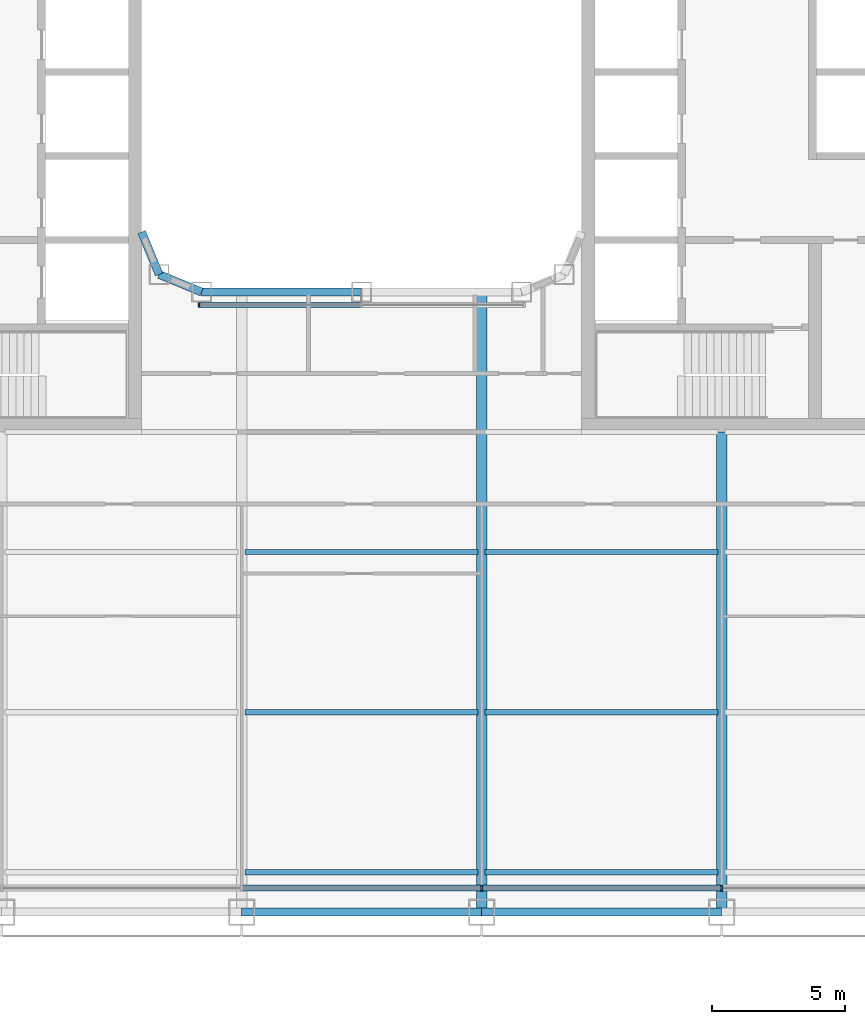
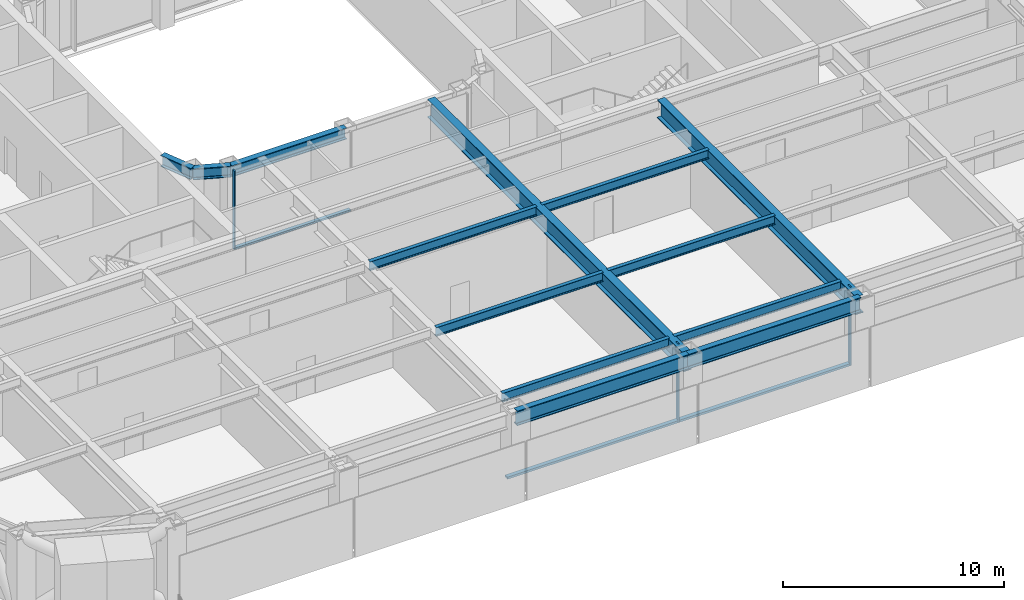
# One storey, part 3 of 27: 13 beams, 6 members, 2 elements without a shape of their own.
"""IFC4 building model written with IfcOpenShell, lengths in metres."""

import ifcopenshell
import ifcopenshell.guid

model = None  # the IFC model being written
_history = None  # IfcOwnerHistory: only IFC2X3 demands one
_inside = {}  # id of a spatial element -> (the spatial element, [elements in it])
_under = {}  # id of a project, library or spatial element -> (it, [spatial elements below it])
_declared = {}  # id of a project -> (the project, [libraries it declares])
_typed = {}  # id of a type object -> (the type object, [elements of that type])
_made_of = {}  # id of a material, layer set ... -> (it, [elements and type objects made of it])


def new_model(schema):
    """Start an empty IFC model of exactly this schema.

    Asked for "IFC4X3", IfcOpenShell would pick the latest addendum, in which some entities
    have other attributes; the version numbers below select the first issue.
    IFC2X3 requires an IfcOwnerHistory on every rooted entity: one is made here for all.
    """
    global model, _history
    if schema == "IFC4X3":
        model = ifcopenshell.file(schema_version=(4, 3, 0, 0))
    else:
        model = ifcopenshell.file(schema=schema)
    _inside.clear()
    _under.clear()
    _declared.clear()
    _typed.clear()
    _made_of.clear()
    _history = None
    if model.schema == "IFC2X3":
        org = make("IfcOrganization", Name="unknown")
        user = make(
            "IfcPersonAndOrganization",
            ThePerson=make("IfcPerson", FamilyName="unknown"),
            TheOrganization=org,
        )
        app = make(
            "IfcApplication",
            ApplicationDeveloper=org,
            Version="unknown",
            ApplicationFullName="unknown",
            ApplicationIdentifier="unknown",
        )
        _history = make(
            "IfcOwnerHistory",
            OwningUser=user,
            OwningApplication=app,
            ChangeAction="ADDED",
            CreationDate=0,
        )
    return model


def make(cls, **values):
    """One entity of the class cls with the attributes given. An attribute that is None is left unset."""
    return model.create_entity(
        cls, **{name: value for name, value in values.items() if value is not None}
    )


def rooted(cls, **values):
    """An entity with a GlobalId (a new one), such as an element, a storey or a relation."""
    return make(cls, GlobalId=ifcopenshell.guid.new(), OwnerHistory=_history, **values)


def si_unit(unit_type, name, prefix=None):
    """IfcSIUnit, for example si_unit("LENGTHUNIT", "METRE", prefix="MILLI")."""
    return make("IfcSIUnit", UnitType=unit_type, Prefix=prefix, Name=name)


def assignment(units):
    """IfcUnitAssignment: the units of a project."""
    return None if units is None else make("IfcUnitAssignment", Units=units)


def point(xyz):
    """IfcCartesianPoint."""
    return None if xyz is None else make("IfcCartesianPoint", Coordinates=xyz)


def direction(xyz):
    """IfcDirection."""
    return None if xyz is None else make("IfcDirection", DirectionRatios=xyz)


def frame(location, z_axis=None, x_axis=None):
    """IfcAxis2Placement3D, a coordinate frame: its origin and axes. An axis left out is left unset."""
    return make(
        "IfcAxis2Placement3D",
        Location=point(location),
        Axis=direction(z_axis),
        RefDirection=direction(x_axis),
    )


def frame_2d(location, x_axis=None):
    """IfcAxis2Placement2D, a coordinate frame in the plane: its origin and x axis."""
    return make(
        "IfcAxis2Placement2D", Location=point(location), RefDirection=direction(x_axis)
    )


def origin():
    """The frame at (0, 0, 0) with its axes left unset."""
    return frame((0.0, 0.0, 0.0))


def origin_2d():
    """The frame at (0, 0) in the plane with its x axis left unset."""
    return frame_2d((0.0, 0.0))


def place(relative_to, where):
    """IfcLocalPlacement: puts the frame where relative to a parent placement (None: the world)."""
    return make(
        "IfcLocalPlacement", PlacementRelTo=relative_to, RelativePlacement=where
    )


def context(
    kind, dimensions, precision=None, world=None, true_north=None, identifier=None
):
    """IfcGeometricRepresentationContext, for example the 3D "Model" context."""
    return make(
        "IfcGeometricRepresentationContext",
        ContextIdentifier=identifier,
        ContextType=kind,
        CoordinateSpaceDimension=dimensions,
        Precision=precision,
        WorldCoordinateSystem=world,
        TrueNorth=true_north,
    )


def subcontext(parent, identifier, kind, view, scale=None):
    """IfcGeometricRepresentationSubContext, for example "Body" below "Model"."""
    return make(
        "IfcGeometricRepresentationSubContext",
        ContextIdentifier=identifier,
        ContextType=kind,
        ParentContext=parent,
        TargetScale=scale,
        TargetView=view,
    )


def project(units=None, contexts=None):
    """IfcProject with its units and contexts."""
    return rooted(
        "IfcProject",
        Name="project",
        RepresentationContexts=contexts,
        UnitsInContext=assignment(units),
    )


def spatial(cls, under=None, at=None, **own):
    """A site, building, storey or space (cls), placed at a placement, below another one or the project."""
    s = rooted(cls, ObjectPlacement=at, **own)
    if under is not None:
        _under.setdefault(under.id(), (under, []))[1].append(s)
    return s


def profile(cls, at=None, kind="AREA", **sizes):
    """A parametric profile (cls). Its sizes go by their IFC names, for example OverallWidth=200.0."""
    return make(cls, ProfileType=kind, Position=at, **sizes)


def rectangle(**sizes):
    """IfcRectangleProfileDef."""
    return profile("IfcRectangleProfileDef", **sizes)


def i_section(**sizes):
    """IfcIShapeProfileDef."""
    return profile("IfcIShapeProfileDef", **sizes)


def extrude(swept, where, along, depth):
    """IfcExtrudedAreaSolid: the profile swept, set in the frame where, extruded along a direction by depth."""
    return make(
        "IfcExtrudedAreaSolid",
        SweptArea=swept,
        Position=where,
        ExtrudedDirection=direction(along),
        Depth=depth,
    )


def shape(context_of_items, identifier, shape_type, items):
    """IfcShapeRepresentation: the items that make up one representation, for example the "Body"."""
    return make(
        "IfcShapeRepresentation",
        ContextOfItems=context_of_items,
        RepresentationIdentifier=identifier,
        RepresentationType=shape_type,
        Items=items,
    )


def material(Name=None, Category=None):
    """IfcMaterial."""
    return make("IfcMaterial", Name=Name, Category=Category)


def layer(
    of_material, thickness, ventilated=None, Name=None, Category=None, Priority=None
):
    """IfcMaterialLayer: one layer of a wall or slab, of a material (None: an air gap)."""
    return make(
        "IfcMaterialLayer",
        Material=of_material,
        LayerThickness=thickness,
        IsVentilated=ventilated,
        Name=Name,
        Category=Category,
        Priority=Priority,
    )


def layer_set(layers, Name=None):
    """IfcMaterialLayerSet."""
    return make("IfcMaterialLayerSet", MaterialLayers=layers, LayerSetName=Name)


def material_profile(
    of_material, cross_section, Name=None, Category=None, Priority=None
):
    """IfcMaterialProfile: a cross section and its material."""
    return make(
        "IfcMaterialProfile",
        Name=Name,
        Material=of_material,
        Profile=cross_section,
        Priority=Priority,
        Category=Category,
    )


def profile_set(profiles, Name=None, composite=None):
    """IfcMaterialProfileSet."""
    return make(
        "IfcMaterialProfileSet",
        Name=Name,
        MaterialProfiles=profiles,
        CompositeProfile=composite,
    )


def made_of(thing, what):
    """Note that an element or type object is made of a material, layer set ...; save() writes the relation."""
    if what is not None:
        _made_of.setdefault(what.id(), (what, []))[1].append(thing)
    return thing


def type_object(cls, material=None, **own):
    """A type object (cls), such as IfcWallType, which elements share."""
    return made_of(rooted(cls, **own), material)


def element(
    cls,
    number,
    at=None,
    inside=None,
    cuts=None,
    type_object=None,
    material=None,
    context=None,
    identifier="Body",
    shape_type=None,
    held_by="IfcProductDefinitionShape",
    body=None,
    shapes=None,
    **own,
):
    """One element of the class cls, such as IfcWall. Its Tag is "e" and its number.

    at: its placement. inside: the storey or other place that contains it. cuts: it is an
    opening in that element (IfcRelVoidsElement). A single representation is given by context,
    identifier, shape_type and body (its items); several are given by shapes. held_by: the class
    of the entity that holds the representations. save() writes the other relations.
    """
    e = rooted(cls, Tag="e%d" % number, ObjectPlacement=at, **own)
    if body is not None:
        shapes = [shape(context, identifier, shape_type, body)]
    if shapes is not None:
        e.Representation = make(held_by, Representations=shapes)
    if inside is not None:
        _inside.setdefault(inside.id(), (inside, []))[1].append(e)
    if cuts is not None:
        rooted(
            "IfcRelVoidsElement", RelatingBuildingElement=cuts, RelatedOpeningElement=e
        )
    if type_object is not None:
        _typed.setdefault(type_object.id(), (type_object, []))[1].append(e)
    return made_of(e, material)


def aggregate(whole, parts):
    """IfcRelAggregates: a whole, such as a stair, and the parts it consists of."""
    return rooted("IfcRelAggregates", RelatingObject=whole, RelatedObjects=parts)


def save(model, path):
    """Write the relations noted so far, then the file.

    IfcRelAggregates (storeys below a building ...), IfcRelContainedInSpatialStructure (elements
    in a storey), IfcRelDefinesByType, IfcRelAssociatesMaterial and IfcRelDeclares: one each for
    every whole, place, type object, material and project.
    """
    for whole, parts in _under.values():
        aggregate(whole, parts)
    for where, things in _inside.values():
        rooted(
            "IfcRelContainedInSpatialStructure",
            RelatedElements=things,
            RelatingStructure=where,
        )
    for kind, things in _typed.values():
        rooted("IfcRelDefinesByType", RelatedObjects=things, RelatingType=kind)
    for what, things in _made_of.values():
        rooted("IfcRelAssociatesMaterial", RelatedObjects=things, RelatingMaterial=what)
    for by, libraries in _declared.values():
        rooted("IfcRelDeclares", RelatingContext=by, RelatedDefinitions=libraries)
    model.write(path)


model = new_model("IFC4")

# Units and contexts
model_context = context("Model", 3, precision=1e-05, world=origin(), true_north=direction((0.0, 1.0)))
body_context = subcontext(model_context, "Body", "Model", "MODEL_VIEW")
ifc_project = project(units=[si_unit("LENGTHUNIT", "METRE"), si_unit("AREAUNIT", "SQUARE_METRE"), si_unit("VOLUMEUNIT", "CUBIC_METRE"), si_unit("PLANEANGLEUNIT", "RADIAN"), si_unit("MASSUNIT", "GRAM", prefix="KILO")], contexts=[model_context])

# Site, building, storey
site_placement = place(None, origin())
site = spatial("IfcSite", under=ifc_project, at=site_placement, CompositionType="ELEMENT")
building_placement = place(site_placement, origin())
building = spatial("IfcBuilding", under=site, at=building_placement, Name="Siwar Civic Tower", CompositionType="ELEMENT")
storey_placement = place(building_placement, frame((0.0, 0.0, 71.699951171875)))
storey = spatial("IfcBuildingStorey", under=building, at=storey_placement, Name="L15", CompositionType="ELEMENT", Elevation=71.699951171875)

# Curtain wall, members
ifc_material_1 = material(Name="Aluminium and glass", Category="aluminium")
ifc_layer_1 = layer(ifc_material_1, 0.219970703125)
ifc_layer_set_1 = layer_set([ifc_layer_1], Name="Aluminium and glass")
curtain_wall_type_1 = type_object("IfcCurtainWallType", Name="ENV-CW-A", PredefinedType="NOTDEFINED", material=ifc_layer_set_1)
curtain_wall_1_placement = place(storey_placement, origin())
curtain_wall_1 = element("IfcCurtainWall", 1, at=curtain_wall_1_placement, inside=storey, type_object=curtain_wall_type_1, Name="Curtain wall A S", PredefinedType="NOTDEFINED")
ifc_material_2 = material(Name="Aluminium 6063-T6", Category="aluminium")
ifc_material_profile_1 = material_profile(ifc_material_2, rectangle(XDim=0.219970703125, YDim=0.070068359375, at=origin_2d()), Name="AL 220x70")
ifc_profile_set_1 = profile_set([ifc_material_profile_1], Name="Aluminium 6063-T6")
member_type_1 = type_object("IfcMemberType", Name="ENV-MULLION-A", PredefinedType="MULLION", material=ifc_profile_set_1)
member_1_placement = place(storey_placement, frame((4.5, -30.60009765625, 0.0), z_axis=(0.0, 0.0, 1.0), x_axis=(0.0, 1.0, 0.0)))
member_1 = element("IfcMember", 2, at=member_1_placement, type_object=member_type_1, Name="Mullion A S 4", PredefinedType="MULLION", context=body_context, shape_type="SweptSolid", body=[
    extrude(rectangle(XDim=0.219970703125, YDim=0.070068359375, at=origin_2d()), origin(), (0.0, 0.0, 1.0), 4.35009765625),
])
member_2_placement = place(storey_placement, frame((13.5, -30.60009765625, 0.0), z_axis=(0.0, 0.0, 1.0), x_axis=(0.0, 1.0, 0.0)))
member_2 = element("IfcMember", 3, at=member_2_placement, type_object=member_type_1, Name="Mullion A S 5", PredefinedType="MULLION", context=body_context, shape_type="SweptSolid", body=[
    extrude(rectangle(XDim=0.219970703125, YDim=0.070068359375, at=origin_2d()), origin(), (0.0, 0.0, 1.0), 4.35009765625),
])

# Curtain wall, member
ifc_material_3 = material(Name="Aluminium and glass", Category="aluminium")
ifc_layer_2 = layer(ifc_material_3, 0.179931640625)
ifc_layer_set_2 = layer_set([ifc_layer_2], Name="Aluminium and glass")
curtain_wall_type_2 = type_object("IfcCurtainWallType", Name="ENV-CW-W", PredefinedType="NOTDEFINED", material=ifc_layer_set_2)
curtain_wall_2_placement = place(storey_placement, origin())
curtain_wall_2 = element("IfcCurtainWall", 4, at=curtain_wall_2_placement, inside=storey, type_object=curtain_wall_type_2, Name="Curtain wall W WS", PredefinedType="NOTDEFINED")
ifc_material_4 = material(Name="Aluminium 6063-T6", Category="aluminium")
ifc_material_profile_2 = material_profile(ifc_material_4, rectangle(XDim=0.179931640625, YDim=0.06005859375, at=origin_2d()), Name="AL 180x60")
ifc_profile_set_2 = profile_set([ifc_material_profile_2], Name="Aluminium 6063-T6")
member_type_2 = type_object("IfcMemberType", Name="ENV-MULLION-W", PredefinedType="MULLION", material=ifc_profile_set_2)
member_3_placement = place(storey_placement, frame((-6.096435546875, -8.735107421875, 0.0), z_axis=(0.0, 0.0, 1.0), x_axis=(0.0, 1.0, 0.0)))
member_3 = element("IfcMember", 5, at=member_3_placement, type_object=member_type_2, Name="Mullion W WS 1", PredefinedType="MULLION", context=body_context, shape_type="SweptSolid", body=[
    extrude(rectangle(XDim=0.179931640625, YDim=0.06005859375, at=origin_2d()), origin(), (0.0, 0.0, 1.0), 4.35009765625),
])

# Member
ifc_material_5 = material(Name="Aluminium 6063-T6", Category="aluminium")
ifc_material_profile_3 = material_profile(ifc_material_5, rectangle(XDim=0.219970703125, YDim=0.1201171875, at=origin_2d()), Name="AL 220x120")
ifc_profile_set_3 = profile_set([ifc_material_profile_3], Name="Aluminium 6063-T6")
member_type_3 = type_object("IfcMemberType", Name="ENV-TRANSOM-A", PredefinedType="USERDEFINED", material=ifc_profile_set_3)
member_4_placement = place(storey_placement, frame((-4.465087890625, -30.60009765625, 0.06005859375), z_axis=(1.0, 0.0, 0.0), x_axis=(0.0, 1.0, 0.0)))
member_4 = element("IfcMember", 6, at=member_4_placement, type_object=member_type_3, Name="Transom A S 3", ObjectType="TRANSOM", PredefinedType="USERDEFINED", context=body_context, shape_type="SweptSolid", body=[
    extrude(rectangle(XDim=0.219970703125, YDim=0.1201171875, at=origin_2d()), origin(), (0.0, 0.0, 1.0), 8.93017578125),
])

member_5_placement = place(storey_placement, frame((4.534912109375, -30.60009765625, 0.06005859375), z_axis=(1.0, 0.0, 0.0), x_axis=(0.0, 1.0, 0.0)))
member_5 = element("IfcMember", 7, at=member_5_placement, type_object=member_type_3, Name="Transom A S 4", ObjectType="TRANSOM", PredefinedType="USERDEFINED", context=body_context, shape_type="SweptSolid", body=[
    extrude(rectangle(XDim=0.219970703125, YDim=0.1201171875, at=origin_2d()), origin(), (0.0, 0.0, 1.0), 8.93017578125),
])

aggregate(curtain_wall_1, [member_1, member_2, member_4, member_5])

ifc_material_6 = material(Name="Aluminium 6063-T6", Category="aluminium")
ifc_material_profile_4 = material_profile(ifc_material_6, rectangle(XDim=0.179931640625, YDim=0.10009765625, at=origin_2d()), Name="AL 180x100")
ifc_profile_set_4 = profile_set([ifc_material_profile_4], Name="Aluminium 6063-T6")
member_type_4 = type_object("IfcMemberType", Name="ENV-TRANSOM-W", PredefinedType="USERDEFINED", material=ifc_profile_set_4)
member_6_placement = place(storey_placement, frame((-6.06640625, -8.735107421875, 0.050048828125), z_axis=(1.0, 0.0, 0.0), x_axis=(0.0, 1.0, 0.0)))
member_6 = element("IfcMember", 8, at=member_6_placement, type_object=member_type_4, Name="Transom W WS 1", ObjectType="TRANSOM", PredefinedType="USERDEFINED", context=body_context, shape_type="SweptSolid", body=[
    extrude(rectangle(XDim=0.179931640625, YDim=0.10009765625, at=origin_2d()), origin(), (0.0, 0.0, 1.0), 6.036376953125),
])

aggregate(curtain_wall_2, [member_3, member_6])

# Beams
ifc_material_7 = material(Name="Steel S355", Category="steel")
ifc_material_profile_5 = material_profile(ifc_material_7, i_section(OverallWidth=0.199951171875, OverallDepth=0.5, WebThickness=0.01025390625, FlangeThickness=0.01611328125, FilletRadius=0.02099609375, at=origin_2d()), Name="IPE500")
ifc_profile_set_5 = profile_set([ifc_material_profile_5], Name="Steel S355")
beam_type_1 = type_object("IfcBeamType", Name="STR-FB-IPE500", PredefinedType="JOIST", material=ifc_profile_set_5)
for number, where, z_axis, x_axis, name in (
    (9, (-4.3701171875, -30.0, 4.10009765625), (1.0, 0.0, 0.0), (0.0, 1.0, 0.0), "L15/bm/F004"),
    (10, (4.6298828125, -30.0, 4.10009765625), (1.0, 0.0, 0.0), (0.0, 1.0, 0.0), "L15/bm/F005"),
    (11, (-4.3701171875, -24.0, 4.10009765625), (1.0, 0.0, 0.0), (0.0, 1.0, 0.0), "L15/bm/F011"),
    (12, (4.6298828125, -24.0, 4.10009765625), (1.0, 0.0, 0.0), (0.0, 1.0, 0.0), "L15/bm/F012"),
    (13, (-4.3701171875, -18.0, 4.10009765625), (1.0, 0.0, 0.0), (0.0, 1.0, 0.0), "L15/bm/F018"),
    (14, (4.6298828125, -18.0, 4.10009765625), (1.0, 0.0, 0.0), (0.0, 1.0, 0.0), "L15/bm/F019"),
):
    element("IfcBeam", number, at=place(storey_placement, frame(where, z_axis=z_axis, x_axis=x_axis)), inside=storey, type_object=beam_type_1, Name=name, PredefinedType="JOIST", context=body_context, shape_type="SweptSolid", body=[
        extrude(i_section(OverallWidth=0.199951171875, OverallDepth=0.5, WebThickness=0.01025390625, FlangeThickness=0.01611328125, FilletRadius=0.02099609375, at=origin_2d()), origin(), (0.0, 0.0, 1.0), 8.740234375),
    ])
ifc_material_8 = material(Name="Steel S355", Category="steel")
ifc_material_profile_6 = material_profile(ifc_material_8, i_section(OverallWidth=0.39990234375, OverallDepth=1.0, WebThickness=0.01611328125, FlangeThickness=0.0400390625, at=origin_2d()), Name="PG1000x400x16x40")
ifc_profile_set_6 = profile_set([ifc_material_profile_6], Name="Steel S355")
beam_type_2 = type_object("IfcBeamType", Name="STR-PG-PG1000x400x16x40", PredefinedType="BEAM", material=ifc_profile_set_6)
beam_1_placement = place(storey_placement, frame((4.5, -31.5, 3.85009765625), z_axis=(0.0, 1.0, 0.0), x_axis=(-1.0, 0.0, 0.0)))
element("IfcBeam", 15, at=beam_1_placement, inside=storey, type_object=beam_type_2, Name="L15/bm/G07", PredefinedType="BEAM", context=body_context, shape_type="SweptSolid", body=[
    extrude(i_section(OverallWidth=0.39990234375, OverallDepth=1.0, WebThickness=0.01611328125, FlangeThickness=0.0400390625, at=origin_2d()), origin(), (0.0, 0.0, 1.0), 23.25),
])
beam_2_placement = place(storey_placement, frame((13.5, -31.5, 3.85009765625), z_axis=(0.0, 1.0, 0.0), x_axis=(-1.0, 0.0, 0.0)))
element("IfcBeam", 16, at=beam_2_placement, inside=storey, type_object=beam_type_2, Name="L15/bm/G09", PredefinedType="BEAM", context=body_context, shape_type="SweptSolid", body=[
    extrude(i_section(OverallWidth=0.39990234375, OverallDepth=1.0, WebThickness=0.01611328125, FlangeThickness=0.0400390625, at=origin_2d()), origin(), (0.0, 0.0, 1.0), 18.0),
])
ifc_material_9 = material(Name="Steel S355", Category="steel")
ifc_material_profile_7 = material_profile(ifc_material_9, i_section(OverallWidth=0.304931640625, OverallDepth=0.6201171875, WebThickness=0.02099609375, FlangeThickness=0.0400390625, FilletRadius=0.027099609375, at=origin_2d()), Name="HEM600")
ifc_profile_set_7 = profile_set([ifc_material_profile_7], Name="Steel S355")
beam_type_3 = type_object("IfcBeamType", Name="STR-RB-HEM600", PredefinedType="BEAM", material=ifc_profile_set_7)
beam_3_placement = place(storey_placement, frame((-7.591064453125, -7.591064453125, 4.0400390625), z_axis=(0.923901072997, -0.382631424892, 0.0), x_axis=(0.382631424892, 0.923901072997, 0.0)))
element("IfcBeam", 17, at=beam_3_placement, inside=storey, type_object=beam_type_3, Name="L15/bm/RS0", PredefinedType="BEAM", context=body_context, shape_type="SweptSolid", body=[
    extrude(i_section(OverallWidth=0.304931640625, OverallDepth=0.6201171875, WebThickness=0.02099609375, FlangeThickness=0.0400390625, FilletRadius=0.027099609375, at=origin_2d()), origin(), (0.0, 0.0, 1.0), 1.72216796875),
])
beam_4_placement = place(storey_placement, frame((-6.0, -8.25, 4.0400390625), z_axis=(1.0, 0.0, 0.0), x_axis=(0.0, 1.0, 0.0)))
element("IfcBeam", 18, at=beam_4_placement, inside=storey, type_object=beam_type_3, Name="L15/bm/RS1", PredefinedType="BEAM", context=body_context, shape_type="SweptSolid", body=[
    extrude(i_section(OverallWidth=0.304931640625, OverallDepth=0.6201171875, WebThickness=0.02099609375, FlangeThickness=0.0400390625, FilletRadius=0.027099609375, at=origin_2d()), origin(), (0.0, 0.0, 1.0), 6.0),
])
beam_5_placement = place(storey_placement, frame((-7.591064453125, -7.591064453125, 4.0400390625), z_axis=(-0.382631424892, 0.923901072997, 0.0), x_axis=(-0.923901072997, -0.382631424892, 0.0)))
element("IfcBeam", 19, at=beam_5_placement, inside=storey, type_object=beam_type_3, Name="L15/bm/RSEW", PredefinedType="BEAM", context=body_context, shape_type="SweptSolid", body=[
    extrude(i_section(OverallWidth=0.304931640625, OverallDepth=0.6201171875, WebThickness=0.02099609375, FlangeThickness=0.0400390625, FilletRadius=0.027099609375, at=origin_2d()), origin(), (0.0, 0.0, 1.0), 1.72216796875),
])
ifc_material_10 = material(Name="Steel S355", Category="steel")
ifc_material_profile_8 = material_profile(ifc_material_10, i_section(OverallWidth=0.302978515625, OverallDepth=0.81396484375, WebThickness=0.02099609375, FlangeThickness=0.0400390625, FilletRadius=0.030029296875, at=origin_2d()), Name="HEM800")
ifc_profile_set_8 = profile_set([ifc_material_profile_8], Name="Steel S355")
beam_type_4 = type_object("IfcBeamType", Name="STR-SB-HEM800", PredefinedType="BEAM", material=ifc_profile_set_8)
for number, where, z_axis, x_axis, name in (
    (20, (-4.5, -31.5, 3.943115234375), (1.0, 0.0, 0.0), (0.0, 1.0, 0.0), "L15/bm/SS-2"),
    (21, (4.5, -31.5, 3.943115234375), (1.0, 0.0, 0.0), (0.0, 1.0, 0.0), "L15/bm/SS-3"),
):
    element("IfcBeam", number, at=place(storey_placement, frame(where, z_axis=z_axis, x_axis=x_axis)), inside=storey, type_object=beam_type_4, Name=name, PredefinedType="BEAM", context=body_context, shape_type="SweptSolid", body=[
        extrude(i_section(OverallWidth=0.302978515625, OverallDepth=0.81396484375, WebThickness=0.02099609375, FlangeThickness=0.0400390625, FilletRadius=0.030029296875, at=origin_2d()), origin(), (0.0, 0.0, 1.0), 9.0),
    ])

save(model, "model.ifc")
